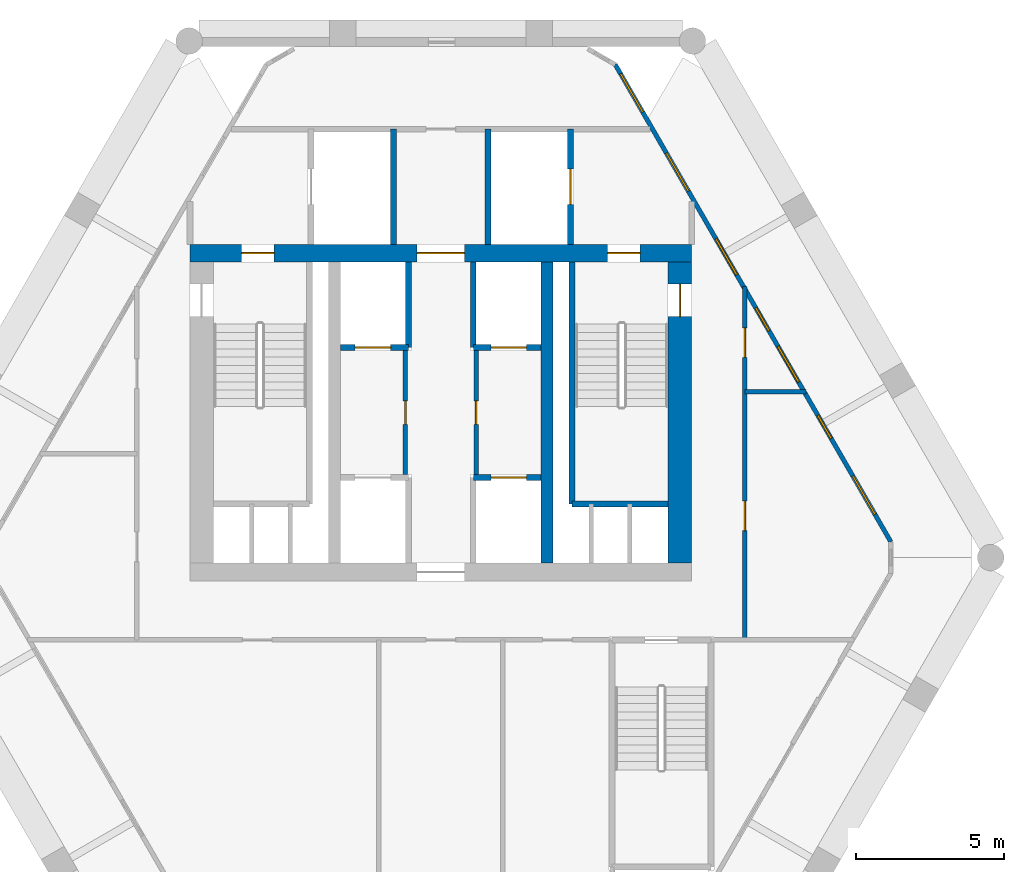
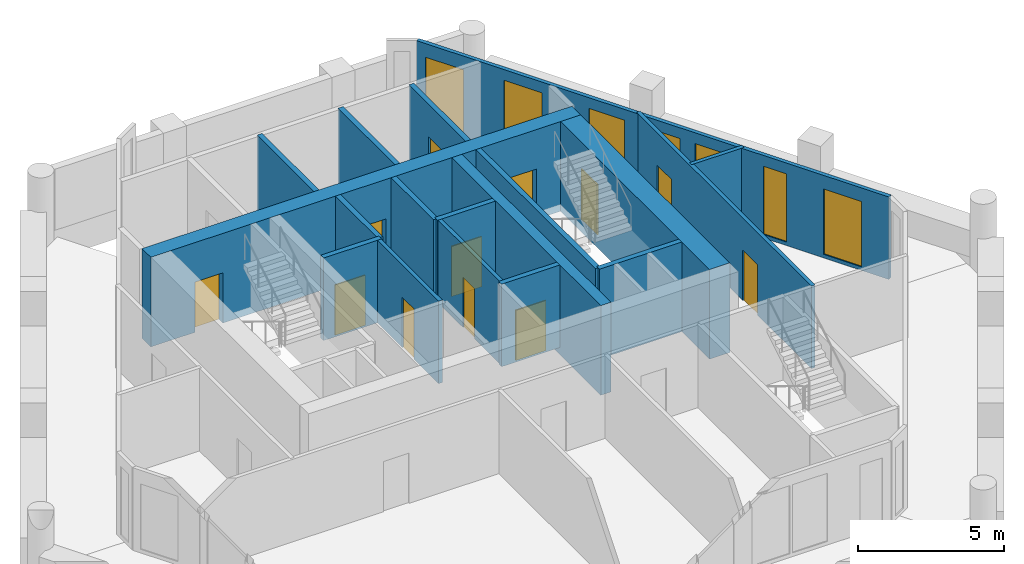
# One storey, part 4 of 6: 18 walls, 12 doors, 7 windows, 19 openings.
"""IFC4 building model written with IfcOpenShell, lengths in metres."""

from ifc_helpers import new_model, si_unit, direction, frame, frame_2d, origin, place, context, subcontext, project, spatial, rectangle, extrude, material, layer, layer_set, type_object, element, fill, save


model = new_model("IFC4")

# Units and contexts
model_context = context("Model", 3, precision=1e-05, world=origin(), true_north=direction((0.0, 1.0)))
body_context = subcontext(model_context, "Body", "Model", "MODEL_VIEW")
ifc_project = project(units=[si_unit("LENGTHUNIT", "METRE"), si_unit("AREAUNIT", "SQUARE_METRE"), si_unit("VOLUMEUNIT", "CUBIC_METRE"), si_unit("PLANEANGLEUNIT", "RADIAN"), si_unit("MASSUNIT", "GRAM", prefix="KILO")], contexts=[model_context])

# Site, building, storey
site_placement = place(None, origin())
site = spatial("IfcSite", under=ifc_project, at=site_placement, CompositionType="ELEMENT")
building_placement = place(site_placement, origin())
building = spatial("IfcBuilding", under=site, at=building_placement, Name="Ostrander Bayou Hotel Tower", CompositionType="ELEMENT")
storey_placement = place(building_placement, frame((0.0, 0.0, 263.75)))
storey = spatial("IfcBuildingStorey", under=building, at=storey_placement, Name="L65", CompositionType="ELEMENT", Elevation=263.75)

# Wall, openings, doors
ifc_material_1 = material(Name="Concrete f'c 60 MPa", Category="concrete")
ifc_layer_1 = layer(ifc_material_1, 0.60009765625)
ifc_layer_set_1 = layer_set([ifc_layer_1], Name="CW10 core wall 600 mm f'c 60 MPa")
wall_type_1 = type_object("IfcWallType", Name="CW10 core wall 600 mm f'c 60 MPa", PredefinedType="SHEAR", material=ifc_layer_set_1)
wall_1_placement = place(storey_placement, frame((-8.5, 9.39990234375, -0.300048828125), z_axis=(0.0, 0.0, 1.0), x_axis=(1.0, 0.0, 0.0)))
wall_1 = element("IfcWall", 1, at=wall_1_placement, inside=storey, type_object=wall_type_1, Name="CW10 L65 N", PredefinedType="SHEAR", context=body_context, shape_type="SweptSolid", body=[
    extrude(rectangle(XDim=17.0, YDim=0.60009765625, at=frame_2d((8.5, 0.0))), origin(), (0.0, 0.0, 1.0), 3.75),
])
opening_1_placement = place(wall_1_placement, frame((7.699951171875, 0.0, 0.0)))
opening_1 = element("IfcOpeningElement", 2, at=opening_1_placement, cuts=wall_1, Name="Opening T63-006", PredefinedType="OPENING", context=body_context, shape_type="SweptSolid", body=[
    extrude(rectangle(XDim=1.60009765625, YDim=2.10009765625, at=frame_2d((0.800048828125, 1.050048828125))), frame((0.0, 0.300048828125, 0.0), z_axis=(0.0, -1.0, 0.0), x_axis=(1.0, 0.0, 0.0)), (0.0, 0.0, 1.0), 0.60009765625),
])
opening_2_placement = place(wall_1_placement, frame((1.75, 0.0, 0.0)))
opening_2 = element("IfcOpeningElement", 3, at=opening_2_placement, cuts=wall_1, Name="Opening T63-007", PredefinedType="OPENING", context=body_context, shape_type="SweptSolid", body=[
    extrude(rectangle(XDim=1.10009765625, YDim=2.10009765625, at=frame_2d((0.550048828125, 1.050048828125))), frame((0.0, 0.300048828125, 0.0), z_axis=(0.0, -1.0, 0.0), x_axis=(1.0, 0.0, 0.0)), (0.0, 0.0, 1.0), 0.60009765625),
])
opening_3_placement = place(wall_1_placement, frame((14.14990234375, 0.0, 0.0)))
opening_3 = element("IfcOpeningElement", 4, at=opening_3_placement, cuts=wall_1, Name="Opening T63-009", PredefinedType="OPENING", context=body_context, shape_type="SweptSolid", body=[
    extrude(rectangle(XDim=1.10009765625, YDim=2.10009765625, at=frame_2d((0.550048828125, 1.050048828125))), frame((0.0, 0.300048828125, 0.0), z_axis=(0.0, -1.0, 0.0), x_axis=(1.0, 0.0, 0.0)), (0.0, 0.0, 1.0), 0.60009765625),
])
ifc_material_2 = material(Name="Timber door leaf", Category="wood")
door_type_1 = type_object("IfcDoorType", Name="D13 double door 1600 x 2100 mm, 1 hour", OperationType="SINGLE_SWING_LEFT", PredefinedType="DOOR", material=ifc_material_2)
door_1_placement = place(opening_1_placement, origin())
door_1 = element("IfcDoor", 5, at=door_1_placement, inside=storey, type_object=door_type_1, Name="dr:L65:006", OperationType="DOUBLE_DOOR_SINGLE_SWING", OverallHeight=2.10009765625, OverallWidth=1.60009765625, PredefinedType="DOOR", context=body_context, shape_type="SweptSolid", body=[
    extrude(rectangle(XDim=1.60009765625, YDim=2.10009765625, at=frame_2d((0.800048828125, 1.050048828125))), frame((0.0, 0.02490234375, 0.0), z_axis=(0.0, -1.0, 0.0), x_axis=(1.0, 0.0, 0.0)), (0.0, 0.0, 1.0), 0.050048828125),
])
fill(opening_1, door_1)
ifc_material_3 = material(Name="Timber door leaf", Category="wood")
door_type_2 = type_object("IfcDoorType", Name="D5 stair door 1100 x 2100 mm, 90 minute", OperationType="SINGLE_SWING_LEFT", PredefinedType="DOOR", material=ifc_material_3)
door_2_placement = place(opening_2_placement, origin())
door_2 = element("IfcDoor", 6, at=door_2_placement, inside=storey, type_object=door_type_2, Name="dr:L65:007", OperationType="SINGLE_SWING_LEFT", OverallHeight=2.10009765625, OverallWidth=1.10009765625, PredefinedType="DOOR", context=body_context, shape_type="SweptSolid", body=[
    extrude(rectangle(XDim=1.10009765625, YDim=2.10009765625, at=frame_2d((0.550048828125, 1.050048828125))), frame((0.0, 0.02490234375, 0.0), z_axis=(0.0, -1.0, 0.0), x_axis=(1.0, 0.0, 0.0)), (0.0, 0.0, 1.0), 0.050048828125),
])
fill(opening_2, door_2)
door_3_placement = place(opening_3_placement, origin())
door_3 = element("IfcDoor", 7, at=door_3_placement, inside=storey, type_object=door_type_2, Name="dr:L65:009", OperationType="SINGLE_SWING_RIGHT", OverallHeight=2.10009765625, OverallWidth=1.10009765625, PredefinedType="DOOR", context=body_context, shape_type="SweptSolid", body=[
    extrude(rectangle(XDim=1.10009765625, YDim=2.10009765625, at=frame_2d((0.550048828125, 1.050048828125))), frame((0.0, 0.02490234375, 0.0), z_axis=(0.0, -1.0, 0.0), x_axis=(1.0, 0.0, 0.0)), (0.0, 0.0, 1.0), 0.050048828125),
])
fill(opening_3, door_3)

# Wall, opening, door
ifc_material_4 = material(Name="Concrete f'c 60 MPa", Category="concrete")
ifc_layer_2 = layer(ifc_material_4, 0.800048828125)
ifc_layer_set_2 = layer_set([ifc_layer_2], Name="CW11 core spine wall 800 mm f'c 60 MPa")
wall_type_2 = type_object("IfcWallType", Name="CW11 core spine wall 800 mm f'c 60 MPa", PredefinedType="SHEAR", material=ifc_layer_set_2)
wall_2_placement = place(storey_placement, frame((8.10009765625, -1.10009765625, -0.300048828125), z_axis=(0.0, 0.0, 1.0), x_axis=(0.0, 1.0, 0.0)))
wall_2 = element("IfcWall", 8, at=wall_2_placement, inside=storey, type_object=wall_type_2, Name="CW11 L65 E", PredefinedType="SHEAR", context=body_context, shape_type="SweptSolid", body=[
    extrude(rectangle(XDim=10.2001953125, YDim=0.800048828125, at=frame_2d((5.10009765625, 0.0))), origin(), (0.0, 0.0, 1.0), 3.75),
])
opening_4_placement = place(wall_2_placement, frame((8.35009765625, 0.0, 0.0)))
opening_4 = element("IfcOpeningElement", 9, at=opening_4_placement, cuts=wall_2, Name="Opening T63-010", PredefinedType="OPENING", context=body_context, shape_type="SweptSolid", body=[
    extrude(rectangle(XDim=1.10009765625, YDim=2.10009765625, at=frame_2d((0.550048828125, 1.050048828125))), frame((0.0, 0.39990234375, 0.0), z_axis=(0.0, -1.0, 0.0), x_axis=(1.0, 0.0, 0.0)), (0.0, 0.0, 1.0), 0.800048828125),
])
door_4_placement = place(opening_4_placement, origin())
door_4 = element("IfcDoor", 10, at=door_4_placement, inside=storey, type_object=door_type_2, Name="dr:L65:010", OperationType="SINGLE_SWING_LEFT", OverallHeight=2.10009765625, OverallWidth=1.10009765625, PredefinedType="DOOR", context=body_context, shape_type="SweptSolid", body=[
    extrude(rectangle(XDim=1.10009765625, YDim=2.10009765625, at=frame_2d((0.550048828125, 1.050048828125))), frame((0.0, 0.02490234375, 0.0), z_axis=(0.0, -1.0, 0.0), x_axis=(1.0, 0.0, 0.0)), (0.0, 0.0, 1.0), 0.050048828125),
])
fill(opening_4, door_4)

# Wall
ifc_material_5 = material(Name="Concrete f'c 60 MPa", Category="concrete")
ifc_layer_3 = layer(ifc_material_5, 0.39990234375)
ifc_layer_set_3 = layer_set([ifc_layer_3], Name="CW12 core bank wall 400 mm f'c 60 MPa")
wall_type_3 = type_object("IfcWallType", Name="CW12 core bank wall 400 mm f'c 60 MPa", PredefinedType="SHEAR", material=ifc_layer_set_3)
wall_3_placement = place(storey_placement, frame((3.60009765625, -1.10009765625, -0.300048828125), z_axis=(0.0, 0.0, 1.0), x_axis=(0.0, 1.0, 0.0)))
element("IfcWall", 11, at=wall_3_placement, inside=storey, type_object=wall_type_3, Name="CW12 L65 CE", PredefinedType="SHEAR", context=body_context, shape_type="SweptSolid", body=[
    extrude(rectangle(XDim=10.2001953125, YDim=0.39990234375, at=frame_2d((5.10009765625, 0.0))), origin(), (0.0, 0.0, 1.0), 3.75),
])

# Wall, openings, windows
ifc_material_6 = material(Name="Aluminium framed insulated wall", Category="aluminium")
ifc_layer_4 = layer(ifc_material_6, 0.14990234375)
ifc_layer_set_4 = layer_set([ifc_layer_4], Name="GW1 glass-line wall 150 mm")
wall_type_4 = type_object("IfcWallType", Name="GW1 glass-line wall 150 mm", PredefinedType="SOLIDWALL", material=ifc_layer_set_4)
wall_4_placement = place(storey_placement, frame((15.245849609375, -0.37841796875, 0.0), z_axis=(0.0, 0.0, 1.0), x_axis=(-0.500006153997, 0.866021850744, 0.0)))
wall_4 = element("IfcWall", 12, at=wall_4_placement, inside=storey, type_object=wall_type_4, Name="GW1 L65 NE 1", PredefinedType="SOLIDWALL", context=body_context, shape_type="SweptSolid", body=[
    extrude(rectangle(XDim=18.672607421875, YDim=0.14990234375, at=frame_2d((9.33642578125, 0.0))), origin(), (0.0, 0.0, 1.0), 3.449951171875),
])
opening_5_placement = place(wall_4_placement, frame((4.05078125, 0.0, 0.14990234375)))
opening_5 = element("IfcOpeningElement", 13, at=opening_5_placement, cuts=wall_4, Name="Opening W18", PredefinedType="OPENING", context=body_context, shape_type="SweptSolid", body=[
    extrude(rectangle(XDim=0.89990234375, YDim=2.85009765625, at=frame_2d((0.449951171875, 1.425048828125))), frame((0.0, 0.074951171875, 0.0), z_axis=(0.0, -1.0, 0.0), x_axis=(1.0, 0.0, 0.0)), (0.0, 0.0, 1.0), 0.14990234375),
])
opening_6_placement = place(wall_4_placement, frame((6.250732421875, 0.0, 0.14990234375)))
opening_6 = element("IfcOpeningElement", 14, at=opening_6_placement, cuts=wall_4, Name="Opening W14", PredefinedType="OPENING", context=body_context, shape_type="SweptSolid", body=[
    extrude(rectangle(XDim=1.39990234375, YDim=2.85009765625, at=frame_2d((0.699951171875, 1.425048828125))), frame((0.0, 0.074951171875, 0.0), z_axis=(0.0, -1.0, 0.0), x_axis=(1.0, 0.0, 0.0)), (0.0, 0.0, 1.0), 0.14990234375),
])
opening_7_placement = place(wall_4_placement, frame((8.250732421875, 0.0, 0.14990234375)))
opening_7 = element("IfcOpeningElement", 15, at=opening_7_placement, cuts=wall_4, Name="Opening W18", PredefinedType="OPENING", context=body_context, shape_type="SweptSolid", body=[
    extrude(rectangle(XDim=0.89990234375, YDim=2.85009765625, at=frame_2d((0.449951171875, 1.425048828125))), frame((0.0, 0.074951171875, 0.0), z_axis=(0.0, -1.0, 0.0), x_axis=(1.0, 0.0, 0.0)), (0.0, 0.0, 1.0), 0.14990234375),
])
opening_8_placement = place(wall_4_placement, frame((10.45068359375, 0.0, 0.14990234375)))
opening_8 = element("IfcOpeningElement", 16, at=opening_8_placement, cuts=wall_4, Name="Opening W14", PredefinedType="OPENING", context=body_context, shape_type="SweptSolid", body=[
    extrude(rectangle(XDim=1.39990234375, YDim=2.85009765625, at=frame_2d((0.699951171875, 1.425048828125))), frame((0.0, 0.074951171875, 0.0), z_axis=(0.0, -1.0, 0.0), x_axis=(1.0, 0.0, 0.0)), (0.0, 0.0, 1.0), 0.14990234375),
])
opening_9_placement = place(wall_4_placement, frame((13.712158203125, 0.0, 0.14990234375)))
opening_9 = element("IfcOpeningElement", 17, at=opening_9_placement, cuts=wall_4, Name="Opening W4", PredefinedType="OPENING", context=body_context, shape_type="SweptSolid", body=[
    extrude(rectangle(XDim=1.5, YDim=2.85009765625, at=frame_2d((0.75, 1.425048828125))), frame((0.0, 0.074951171875, 0.0), z_axis=(0.0, -1.0, 0.0), x_axis=(1.0, 0.0, 0.0)), (0.0, 0.0, 1.0), 0.14990234375),
])
opening_10_placement = place(wall_4_placement, frame((1.0751953125, 0.0, 0.14990234375)))
opening_10 = element("IfcOpeningElement", 18, at=opening_10_placement, cuts=wall_4, Name="Opening W4", PredefinedType="OPENING", context=body_context, shape_type="SweptSolid", body=[
    extrude(rectangle(XDim=1.5, YDim=2.72998046875, at=frame_2d((0.75, 1.364990234375))), frame((0.0, 0.074951171875, 0.0), z_axis=(0.0, -1.0, 0.0), x_axis=(1.0, 0.0, 0.0)), (0.0, 0.0, 1.0), 0.14990234375),
])
opening_11_placement = place(wall_4_placement, frame((16.811767578125, 0.0, 0.14990234375)))
opening_11 = element("IfcOpeningElement", 19, at=opening_11_placement, cuts=wall_4, Name="Opening W4", PredefinedType="OPENING", context=body_context, shape_type="SweptSolid", body=[
    extrude(rectangle(XDim=1.5, YDim=2.72998046875, at=frame_2d((0.75, 1.364990234375))), frame((0.0, 0.074951171875, 0.0), z_axis=(0.0, -1.0, 0.0), x_axis=(1.0, 0.0, 0.0)), (0.0, 0.0, 1.0), 0.14990234375),
])
ifc_material_7 = material(Name="Aluminium and clear glass", Category="aluminium")
window_type_1 = type_object("IfcWindowType", Name="W14 fixed window 1400 mm, bath bay, zone 4", PartitioningType="SINGLE_PANEL", PredefinedType="WINDOW", material=ifc_material_7)
window_1_placement = place(opening_6_placement, origin())
window_1 = element("IfcWindow", 20, at=window_1_placement, inside=storey, type_object=window_type_1, Name="W14 L65 NE 2", OverallHeight=2.85009765625, OverallWidth=1.39990234375, PartitioningType="SINGLE_PANEL", PredefinedType="WINDOW", context=body_context, shape_type="SweptSolid", body=[
    extrude(rectangle(XDim=1.39990234375, YDim=2.85009765625, at=frame_2d((0.699951171875, 1.425048828125))), frame((0.0, 0.030029296875, 0.0), z_axis=(0.0, -1.0, 0.0), x_axis=(1.0, 0.0, 0.0)), (0.0, 0.0, 1.0), 0.06005859375),
])
fill(opening_6, window_1)
window_2_placement = place(opening_8_placement, origin())
window_2 = element("IfcWindow", 21, at=window_2_placement, inside=storey, type_object=window_type_1, Name="W14 L65 NE 3", OverallHeight=2.85009765625, OverallWidth=1.39990234375, PartitioningType="SINGLE_PANEL", PredefinedType="WINDOW", context=body_context, shape_type="SweptSolid", body=[
    extrude(rectangle(XDim=1.39990234375, YDim=2.85009765625, at=frame_2d((0.699951171875, 1.425048828125))), frame((0.0, 0.030029296875, 0.0), z_axis=(0.0, -1.0, 0.0), x_axis=(1.0, 0.0, 0.0)), (0.0, 0.0, 1.0), 0.06005859375),
])
fill(opening_8, window_2)
ifc_material_8 = material(Name="Aluminium and clear glass", Category="aluminium")
window_type_2 = type_object("IfcWindowType", Name="W18 window 900 mm, zone 4", PartitioningType="SINGLE_PANEL", PredefinedType="WINDOW", material=ifc_material_8)
window_3_placement = place(opening_5_placement, origin())
window_3 = element("IfcWindow", 22, at=window_3_placement, inside=storey, type_object=window_type_2, Name="W18 L65 NE 2", OverallHeight=2.85009765625, OverallWidth=0.89990234375, PartitioningType="SINGLE_PANEL", PredefinedType="WINDOW", context=body_context, shape_type="SweptSolid", body=[
    extrude(rectangle(XDim=0.89990234375, YDim=2.85009765625, at=frame_2d((0.449951171875, 1.425048828125))), frame((0.0, 0.030029296875, 0.0), z_axis=(0.0, -1.0, 0.0), x_axis=(1.0, 0.0, 0.0)), (0.0, 0.0, 1.0), 0.06005859375),
])
fill(opening_5, window_3)
window_4_placement = place(opening_7_placement, origin())
window_4 = element("IfcWindow", 23, at=window_4_placement, inside=storey, type_object=window_type_2, Name="W18 L65 NE 3", OverallHeight=2.85009765625, OverallWidth=0.89990234375, PartitioningType="SINGLE_PANEL", PredefinedType="WINDOW", context=body_context, shape_type="SweptSolid", body=[
    extrude(rectangle(XDim=0.89990234375, YDim=2.85009765625, at=frame_2d((0.449951171875, 1.425048828125))), frame((0.0, 0.030029296875, 0.0), z_axis=(0.0, -1.0, 0.0), x_axis=(1.0, 0.0, 0.0)), (0.0, 0.0, 1.0), 0.06005859375),
])
fill(opening_7, window_4)
ifc_material_9 = material(Name="Aluminium and clear glass", Category="aluminium")
window_type_3 = type_object("IfcWindowType", Name="W4 fixed window 1500 mm, zone 4", PartitioningType="SINGLE_PANEL", PredefinedType="WINDOW", material=ifc_material_9)
window_5_placement = place(opening_9_placement, origin())
window_5 = element("IfcWindow", 24, at=window_5_placement, inside=storey, type_object=window_type_3, Name="W4 L65 NE 4", OverallHeight=2.85009765625, OverallWidth=1.5, PartitioningType="SINGLE_PANEL", PredefinedType="WINDOW", context=body_context, shape_type="SweptSolid", body=[
    extrude(rectangle(XDim=1.5, YDim=2.85009765625, at=frame_2d((0.75, 1.425048828125))), frame((0.0, 0.030029296875, 0.0), z_axis=(0.0, -1.0, 0.0), x_axis=(1.0, 0.0, 0.0)), (0.0, 0.0, 1.0), 0.06005859375),
])
fill(opening_9, window_5)
window_6_placement = place(opening_10_placement, origin())
window_6 = element("IfcWindow", 25, at=window_6_placement, inside=storey, type_object=window_type_3, Name="W4 L65 NE E11", OverallHeight=2.72998046875, OverallWidth=1.5, PartitioningType="SINGLE_PANEL", PredefinedType="WINDOW", context=body_context, shape_type="SweptSolid", body=[
    extrude(rectangle(XDim=1.5, YDim=2.72998046875, at=frame_2d((0.75, 1.364990234375))), frame((0.0, 0.030029296875, 0.0), z_axis=(0.0, -1.0, 0.0), x_axis=(1.0, 0.0, 0.0)), (0.0, 0.0, 1.0), 0.06005859375),
])
fill(opening_10, window_6)
window_7_placement = place(opening_11_placement, origin())
window_7 = element("IfcWindow", 26, at=window_7_placement, inside=storey, type_object=window_type_3, Name="W4 L65 NE E21", OverallHeight=2.72998046875, OverallWidth=1.5, PartitioningType="SINGLE_PANEL", PredefinedType="WINDOW", context=body_context, shape_type="SweptSolid", body=[
    extrude(rectangle(XDim=1.5, YDim=2.72998046875, at=frame_2d((0.75, 1.364990234375))), frame((0.0, 0.030029296875, 0.0), z_axis=(0.0, -1.0, 0.0), x_axis=(1.0, 0.0, 0.0)), (0.0, 0.0, 1.0), 0.06005859375),
])
fill(opening_11, window_7)

# Wall, opening, door
ifc_material_10 = material(Name="Masonry block", Category="masonry")
ifc_layer_5 = layer(ifc_material_10, 0.199951171875)
ifc_layer_set_5 = layer_set([ifc_layer_5], Name="PT5 stair enclosure wall 200 mm masonry, 2 hour")
wall_type_5 = type_object("IfcWallType", Name="PT5 stair enclosure wall 200 mm masonry, 2 hour", PredefinedType="PARTITIONING", material=ifc_layer_set_5)
wall_5_placement = place(storey_placement, frame((4.39990234375, 9.699951171875, 0.0), z_axis=(0.0, 0.0, 1.0), x_axis=(0.0, 1.0, 0.0)))
wall_5 = element("IfcWall", 27, at=wall_5_placement, inside=storey, type_object=wall_type_5, Name="cs:L65:026", PredefinedType="PARTITIONING", context=body_context, shape_type="SweptSolid", body=[
    extrude(rectangle(XDim=3.900146484375, YDim=0.199951171875, at=frame_2d((1.9501953125, 0.0))), origin(), (0.0, 0.0, 1.0), 3.449951171875),
])
opening_12_placement = place(wall_5_placement, frame((1.35009765625, 0.0, 0.0)))
opening_12 = element("IfcOpeningElement", 28, at=opening_12_placement, cuts=wall_5, Name="Opening T63-013", PredefinedType="OPENING", context=body_context, shape_type="SweptSolid", body=[
    extrude(rectangle(XDim=1.199951171875, YDim=2.10009765625, at=frame_2d((0.60009765625, 1.050048828125))), frame((0.0, 0.10009765625, 0.0), z_axis=(0.0, -1.0, 0.0), x_axis=(1.0, 0.0, 0.0)), (0.0, 0.0, 1.0), 0.199951171875),
])
ifc_material_11 = material(Name="Stainless steel sliding door", Category="steel")
door_type_3 = type_object("IfcDoorType", Name="LD1 lift landing door 1200 x 2100 mm", OperationType="SINGLE_SWING_LEFT", PredefinedType="DOOR", material=ifc_material_11)
door_5_placement = place(opening_12_placement, origin())
door_5 = element("IfcDoor", 29, at=door_5_placement, inside=storey, type_object=door_type_3, Name="dr:L65:013", OperationType="SLIDING_TO_LEFT", OverallHeight=2.10009765625, OverallWidth=1.199951171875, PredefinedType="DOOR", context=body_context, shape_type="SweptSolid", body=[
    extrude(rectangle(XDim=1.199951171875, YDim=2.10009765625, at=frame_2d((0.60009765625, 1.050048828125))), frame((0.0, 0.02490234375, 0.0), z_axis=(0.0, -1.0, 0.0), x_axis=(1.0, 0.0, 0.0)), (0.0, 0.0, 1.0), 0.050048828125),
])
fill(opening_12, door_5)

ifc_material_12 = material(Name="Masonry block", Category="masonry")
ifc_layer_6 = layer(ifc_material_12, 0.199951171875)
ifc_layer_set_6 = layer_set([ifc_layer_6], Name="PT6 lift shaft wall 200 mm masonry, 2 hour")
wall_type_6 = type_object("IfcWallType", Name="PT6 lift shaft wall 200 mm masonry, 2 hour", PredefinedType="PARTITIONING", material=ifc_layer_set_6)
wall_6_placement = place(storey_placement, frame((-3.39990234375, 6.199951171875, 0.0), z_axis=(0.0, 0.0, 1.0), x_axis=(1.0, 0.0, 0.0)))
wall_6 = element("IfcWall", 30, at=wall_6_placement, inside=storey, type_object=wall_type_6, Name="cs:L65:002", PredefinedType="PARTITIONING", context=body_context, shape_type="SweptSolid", body=[
    extrude(rectangle(XDim=2.2998046875, YDim=0.199951171875, at=frame_2d((1.14990234375, 0.0))), origin(), (0.0, 0.0, 1.0), 3.449951171875),
])
opening_13_placement = place(wall_6_placement, frame((0.5, 0.0, 0.0)))
opening_13 = element("IfcOpeningElement", 31, at=opening_13_placement, cuts=wall_6, Name="Opening T63-003", PredefinedType="OPENING", context=body_context, shape_type="SweptSolid", body=[
    extrude(rectangle(XDim=1.199951171875, YDim=2.10009765625, at=frame_2d((0.60009765625, 1.050048828125))), frame((0.0, 0.10009765625, 0.0), z_axis=(0.0, -1.0, 0.0), x_axis=(1.0, 0.0, 0.0)), (0.0, 0.0, 1.0), 0.199951171875),
])
door_6_placement = place(opening_13_placement, origin())
door_6 = element("IfcDoor", 32, at=door_6_placement, inside=storey, type_object=door_type_3, Name="dr:L65:003", OperationType="SLIDING_TO_LEFT", OverallHeight=2.10009765625, OverallWidth=1.199951171875, PredefinedType="DOOR", context=body_context, shape_type="SweptSolid", body=[
    extrude(rectangle(XDim=1.199951171875, YDim=2.10009765625, at=frame_2d((0.60009765625, 1.050048828125))), frame((0.0, 0.02490234375, 0.0), z_axis=(0.0, -1.0, 0.0), x_axis=(1.0, 0.0, 0.0)), (0.0, 0.0, 1.0), 0.050048828125),
])
fill(opening_13, door_6)

wall_7_placement = place(storey_placement, frame((1.10009765625, 1.800048828125, 0.0), z_axis=(0.0, 0.0, 1.0), x_axis=(1.0, 0.0, 0.0)))
wall_7 = element("IfcWall", 33, at=wall_7_placement, inside=storey, type_object=wall_type_6, Name="cs:L65:003", PredefinedType="PARTITIONING", context=body_context, shape_type="SweptSolid", body=[
    extrude(rectangle(XDim=2.2998046875, YDim=0.199951171875, at=frame_2d((1.14990234375, 0.0))), origin(), (0.0, 0.0, 1.0), 3.449951171875),
])
opening_14_placement = place(wall_7_placement, frame((0.60009765625, 0.0, 0.0)))
opening_14 = element("IfcOpeningElement", 34, at=opening_14_placement, cuts=wall_7, Name="Opening T63-002", PredefinedType="OPENING", context=body_context, shape_type="SweptSolid", body=[
    extrude(rectangle(XDim=1.199951171875, YDim=2.10009765625, at=frame_2d((0.60009765625, 1.050048828125))), frame((0.0, 0.10009765625, 0.0), z_axis=(0.0, -1.0, 0.0), x_axis=(1.0, 0.0, 0.0)), (0.0, 0.0, 1.0), 0.199951171875),
])
door_7_placement = place(opening_14_placement, origin())
door_7 = element("IfcDoor", 35, at=door_7_placement, inside=storey, type_object=door_type_3, Name="dr:L65:002", OperationType="SLIDING_TO_LEFT", OverallHeight=2.10009765625, OverallWidth=1.199951171875, PredefinedType="DOOR", context=body_context, shape_type="SweptSolid", body=[
    extrude(rectangle(XDim=1.199951171875, YDim=2.10009765625, at=frame_2d((0.60009765625, 1.050048828125))), frame((0.0, 0.02490234375, 0.0), z_axis=(0.0, -1.0, 0.0), x_axis=(1.0, 0.0, 0.0)), (0.0, 0.0, 1.0), 0.050048828125),
])
fill(opening_14, door_7)

wall_8_placement = place(storey_placement, frame((1.10009765625, 6.199951171875, 0.0), z_axis=(0.0, 0.0, 1.0), x_axis=(1.0, 0.0, 0.0)))
wall_8 = element("IfcWall", 36, at=wall_8_placement, inside=storey, type_object=wall_type_6, Name="cs:L65:004", PredefinedType="PARTITIONING", context=body_context, shape_type="SweptSolid", body=[
    extrude(rectangle(XDim=2.2998046875, YDim=0.199951171875, at=frame_2d((1.14990234375, 0.0))), origin(), (0.0, 0.0, 1.0), 3.449951171875),
])
opening_15_placement = place(wall_8_placement, frame((0.60009765625, 0.0, 0.0)))
opening_15 = element("IfcOpeningElement", 37, at=opening_15_placement, cuts=wall_8, Name="Opening T63-004", PredefinedType="OPENING", context=body_context, shape_type="SweptSolid", body=[
    extrude(rectangle(XDim=1.199951171875, YDim=2.10009765625, at=frame_2d((0.60009765625, 1.050048828125))), frame((0.0, 0.10009765625, 0.0), z_axis=(0.0, -1.0, 0.0), x_axis=(1.0, 0.0, 0.0)), (0.0, 0.0, 1.0), 0.199951171875),
])
door_8_placement = place(opening_15_placement, origin())
door_8 = element("IfcDoor", 38, at=door_8_placement, inside=storey, type_object=door_type_3, Name="dr:L65:004", OperationType="SLIDING_TO_LEFT", OverallHeight=2.10009765625, OverallWidth=1.199951171875, PredefinedType="DOOR", context=body_context, shape_type="SweptSolid", body=[
    extrude(rectangle(XDim=1.199951171875, YDim=2.10009765625, at=frame_2d((0.60009765625, 1.050048828125))), frame((0.0, 0.02490234375, 0.0), z_axis=(0.0, -1.0, 0.0), x_axis=(1.0, 0.0, 0.0)), (0.0, 0.0, 1.0), 0.050048828125),
])
fill(opening_15, door_8)

# Walls
for number, where, z_axis, x_axis, name in (
    (39, (-1.10009765625, 6.199951171875, 0.0), (0.0, 0.0, 1.0), (0.0, 1.0, 0.0), "cs:L65:007"),
    (40, (1.10009765625, 6.199951171875, 0.0), (0.0, 0.0, 1.0), (0.0, 1.0, 0.0), "cs:L65:008"),
):
    element("IfcWall", number, at=place(storey_placement, frame(where, z_axis=z_axis, x_axis=x_axis)), inside=storey, type_object=wall_type_6, Name=name, PredefinedType="PARTITIONING", context=body_context, shape_type="SweptSolid", body=[
        extrude(rectangle(XDim=2.900146484375, YDim=0.199951171875, at=frame_2d((1.4501953125, 0.0))), origin(), (0.0, 0.0, 1.0), 3.449951171875),
    ])
for number, where, z_axis, x_axis, name in (
    (41, (-1.60009765625, 9.699951171875, 0.0), (0.0, 0.0, 1.0), (0.0, 1.0, 0.0), "cs:L65:027"),
    (42, (1.60009765625, 9.699951171875, 0.0), (0.0, 0.0, 1.0), (0.0, 1.0, 0.0), "cs:L65:028"),
):
    element("IfcWall", number, at=place(storey_placement, frame(where, z_axis=z_axis, x_axis=x_axis)), inside=storey, type_object=wall_type_6, Name=name, PredefinedType="PARTITIONING", context=body_context, shape_type="SweptSolid", body=[
        extrude(rectangle(XDim=3.900146484375, YDim=0.199951171875, at=frame_2d((1.9501953125, 0.0))), origin(), (0.0, 0.0, 1.0), 3.449951171875),
    ])

# Wall, opening, door
ifc_material_13 = material(Name="Gypsum board partition", Category="finish")
ifc_layer_7 = layer(ifc_material_13, 0.14990234375)
ifc_layer_set_7 = layer_set([ifc_layer_7], Name="PT7 riser wall 150 mm, 2 hour")
wall_type_7 = type_object("IfcWallType", Name="PT7 riser wall 150 mm, 2 hour", PredefinedType="PARTITIONING", material=ifc_layer_set_7)
wall_9_placement = place(storey_placement, frame((-1.199951171875, 1.89990234375, 0.0), z_axis=(0.0, 0.0, 1.0), x_axis=(0.0, 1.0, 0.0)))
wall_9 = element("IfcWall", 43, at=wall_9_placement, inside=storey, type_object=wall_type_7, Name="cs:L65:029", PredefinedType="PARTITIONING", context=body_context, shape_type="SweptSolid", body=[
    extrude(rectangle(XDim=4.2001953125, YDim=0.14990234375, at=frame_2d((2.10009765625, 0.0))), origin(), (0.0, 0.0, 1.0), 3.449951171875),
])
opening_16_placement = place(wall_9_placement, frame((1.699951171875, 0.0, 0.0)))
opening_16 = element("IfcOpeningElement", 44, at=opening_16_placement, cuts=wall_9, Name="Opening T63-015", PredefinedType="OPENING", context=body_context, shape_type="SweptSolid", body=[
    extrude(rectangle(XDim=0.800048828125, YDim=2.10009765625, at=frame_2d((0.39990234375, 1.050048828125))), frame((0.0, 0.074951171875, 0.0), z_axis=(0.0, -1.0, 0.0), x_axis=(1.0, 0.0, 0.0)), (0.0, 0.0, 1.0), 0.14990234375),
])
ifc_material_14 = material(Name="Timber door leaf", Category="wood")
door_type_4 = type_object("IfcDoorType", Name="D6 riser door 800 x 2100 mm, 90 minute", OperationType="SINGLE_SWING_LEFT", PredefinedType="DOOR", material=ifc_material_14)
door_9_placement = place(opening_16_placement, origin())
door_9 = element("IfcDoor", 45, at=door_9_placement, inside=storey, type_object=door_type_4, Name="dr:L65:015", OperationType="SINGLE_SWING_LEFT", OverallHeight=2.10009765625, OverallWidth=0.800048828125, PredefinedType="DOOR", context=body_context, shape_type="SweptSolid", body=[
    extrude(rectangle(XDim=0.800048828125, YDim=2.10009765625, at=frame_2d((0.39990234375, 1.050048828125))), frame((0.0, 0.02490234375, 0.0), z_axis=(0.0, -1.0, 0.0), x_axis=(1.0, 0.0, 0.0)), (0.0, 0.0, 1.0), 0.050048828125),
])
fill(opening_16, door_9)

wall_10_placement = place(storey_placement, frame((1.199951171875, 1.89990234375, 0.0), z_axis=(0.0, 0.0, 1.0), x_axis=(0.0, 1.0, 0.0)))
wall_10 = element("IfcWall", 46, at=wall_10_placement, inside=storey, type_object=wall_type_7, Name="cs:L65:030", PredefinedType="PARTITIONING", context=body_context, shape_type="SweptSolid", body=[
    extrude(rectangle(XDim=4.2001953125, YDim=0.14990234375, at=frame_2d((2.10009765625, 0.0))), origin(), (0.0, 0.0, 1.0), 3.449951171875),
])
opening_17_placement = place(wall_10_placement, frame((1.699951171875, 0.0, 0.0)))
opening_17 = element("IfcOpeningElement", 47, at=opening_17_placement, cuts=wall_10, Name="Opening T63-016", PredefinedType="OPENING", context=body_context, shape_type="SweptSolid", body=[
    extrude(rectangle(XDim=0.800048828125, YDim=2.10009765625, at=frame_2d((0.39990234375, 1.050048828125))), frame((0.0, 0.074951171875, 0.0), z_axis=(0.0, -1.0, 0.0), x_axis=(1.0, 0.0, 0.0)), (0.0, 0.0, 1.0), 0.14990234375),
])
door_10_placement = place(opening_17_placement, origin())
door_10 = element("IfcDoor", 48, at=door_10_placement, inside=storey, type_object=door_type_4, Name="dr:L65:016", OperationType="SINGLE_SWING_RIGHT", OverallHeight=2.10009765625, OverallWidth=0.800048828125, PredefinedType="DOOR", context=body_context, shape_type="SweptSolid", body=[
    extrude(rectangle(XDim=0.800048828125, YDim=2.10009765625, at=frame_2d((0.39990234375, 1.050048828125))), frame((0.0, 0.02490234375, 0.0), z_axis=(0.0, -1.0, 0.0), x_axis=(1.0, 0.0, 0.0)), (0.0, 0.0, 1.0), 0.050048828125),
])
fill(opening_17, door_10)

# Wall
ifc_material_15 = material(Name="Gypsum board partition", Category="finish")
ifc_layer_8 = layer(ifc_material_15, 0.14990234375)
ifc_layer_set_8 = layer_set([ifc_layer_8], Name="PT8 service band wall 150 mm, 1 hour")
wall_type_8 = type_object("IfcWallType", Name="PT8 service band wall 150 mm, 1 hour", PredefinedType="PARTITIONING", material=ifc_layer_set_8)
wall_11_placement = place(storey_placement, frame((10.300048828125, 4.699951171875, 0.0), z_axis=(0.0, 0.0, 1.0), x_axis=(1.0, 0.0, 0.0)))
element("IfcWall", 49, at=wall_11_placement, inside=storey, type_object=wall_type_8, Name="gw:L65:004", PredefinedType="PARTITIONING", context=body_context, shape_type="SweptSolid", body=[
    extrude(rectangle(XDim=2.06591796875, YDim=0.14990234375, at=frame_2d((1.032958984375, 0.0))), origin(), (0.0, 0.0, 1.0), 3.449951171875),
])

# Wall, openings, doors
wall_12_placement = place(storey_placement, frame((10.300048828125, -3.699951171875, 0.0), z_axis=(0.0, 0.0, 1.0), x_axis=(0.0, 1.0, 0.0)))
wall_12 = element("IfcWall", 50, at=wall_12_placement, inside=storey, type_object=wall_type_8, Name="gw:L65:005", PredefinedType="PARTITIONING", context=body_context, shape_type="SweptSolid", body=[
    extrude(rectangle(XDim=11.97802734375, YDim=0.14990234375, at=frame_2d((5.989013671875, 0.0))), origin(), (0.0, 0.0, 1.0), 3.449951171875),
])
opening_18_placement = place(wall_12_placement, frame((3.699951171875, 0.0, 0.0)))
opening_18 = element("IfcOpeningElement", 51, at=opening_18_placement, cuts=wall_12, Name="Opening T63-405", PredefinedType="OPENING", context=body_context, shape_type="SweptSolid", body=[
    extrude(rectangle(XDim=1.0, YDim=2.10009765625, at=frame_2d((0.5, 1.050048828125))), frame((0.0, 0.074951171875, 0.0), z_axis=(0.0, -1.0, 0.0), x_axis=(1.0, 0.0, 0.0)), (0.0, 0.0, 1.0), 0.14990234375),
])
opening_19_placement = place(wall_12_placement, frame((9.570068359375, 0.0, 0.0)))
opening_19 = element("IfcOpeningElement", 52, at=opening_19_placement, cuts=wall_12, Name="Opening T63-406", PredefinedType="OPENING", context=body_context, shape_type="SweptSolid", body=[
    extrude(rectangle(XDim=1.0, YDim=2.10009765625, at=frame_2d((0.5, 1.050048828125))), frame((0.0, 0.074951171875, 0.0), z_axis=(0.0, -1.0, 0.0), x_axis=(1.0, 0.0, 0.0)), (0.0, 0.0, 1.0), 0.14990234375),
])
ifc_material_16 = material(Name="Timber door leaf", Category="wood")
door_type_5 = type_object("IfcDoorType", Name="D15 room door 1000 x 2100 mm", OperationType="SINGLE_SWING_LEFT", PredefinedType="DOOR", material=ifc_material_16)
door_11_placement = place(opening_18_placement, origin())
door_11 = element("IfcDoor", 53, at=door_11_placement, inside=storey, type_object=door_type_5, Name="dr:L65:405", OperationType="SINGLE_SWING_LEFT", OverallHeight=2.10009765625, OverallWidth=1.0, PredefinedType="DOOR", context=body_context, shape_type="SweptSolid", body=[
    extrude(rectangle(XDim=1.0, YDim=2.10009765625, at=frame_2d((0.5, 1.050048828125))), frame((0.0, 0.02490234375, 0.0), z_axis=(0.0, -1.0, 0.0), x_axis=(1.0, 0.0, 0.0)), (0.0, 0.0, 1.0), 0.050048828125),
])
fill(opening_18, door_11)
ifc_material_17 = material(Name="Timber door leaf", Category="wood")
door_type_6 = type_object("IfcDoorType", Name="D9 service door 1000 x 2100 mm, 30 minute", OperationType="SINGLE_SWING_LEFT", PredefinedType="DOOR", material=ifc_material_17)
door_12_placement = place(opening_19_placement, origin())
door_12 = element("IfcDoor", 54, at=door_12_placement, inside=storey, type_object=door_type_6, Name="dr:L65:406", OperationType="SINGLE_SWING_LEFT", OverallHeight=2.10009765625, OverallWidth=1.0, PredefinedType="DOOR", context=body_context, shape_type="SweptSolid", body=[
    extrude(rectangle(XDim=1.0, YDim=2.10009765625, at=frame_2d((0.5, 1.050048828125))), frame((0.0, 0.02490234375, 0.0), z_axis=(0.0, -1.0, 0.0), x_axis=(1.0, 0.0, 0.0)), (0.0, 0.0, 1.0), 0.050048828125),
])
fill(opening_19, door_12)

# Walls
ifc_material_18 = material(Name="Concrete f'c 45 MPa", Category="concrete")
ifc_layer_9 = layer(ifc_material_18, 0.199951171875)
ifc_layer_set_9 = layer_set([ifc_layer_9], Name="SW5 stair enclosure wall 200 mm f'c 45 MPa")
wall_type_9 = type_object("IfcWallType", Name="SW5 stair enclosure wall 200 mm f'c 45 MPa", PredefinedType="SOLIDWALL", material=ifc_layer_set_9)
wall_13_placement = place(storey_placement, frame((4.449951171875, 0.89990234375, -0.300048828125), z_axis=(0.0, 0.0, 1.0), x_axis=(0.0, 1.0, 0.0)))
element("IfcWall", 55, at=wall_13_placement, inside=storey, type_object=wall_type_9, Name="cs:L65:013", PredefinedType="SOLIDWALL", context=body_context, shape_type="SweptSolid", body=[
    extrude(rectangle(XDim=8.2001953125, YDim=0.199951171875, at=frame_2d((4.10009765625, 0.0))), origin(), (0.0, 0.0, 1.0), 3.75),
])
wall_14_placement = place(storey_placement, frame((4.449951171875, 0.89990234375, -0.300048828125), z_axis=(0.0, 0.0, 1.0), x_axis=(1.0, 0.0, 0.0)))
element("IfcWall", 56, at=wall_14_placement, inside=storey, type_object=wall_type_9, Name="cs:L65:014", PredefinedType="SOLIDWALL", context=body_context, shape_type="SweptSolid", body=[
    extrude(rectangle(XDim=3.25, YDim=0.199951171875, at=frame_2d((1.625, 0.0))), origin(), (0.0, 0.0, 1.0), 3.75),
])

save(model, "model.ifc")
